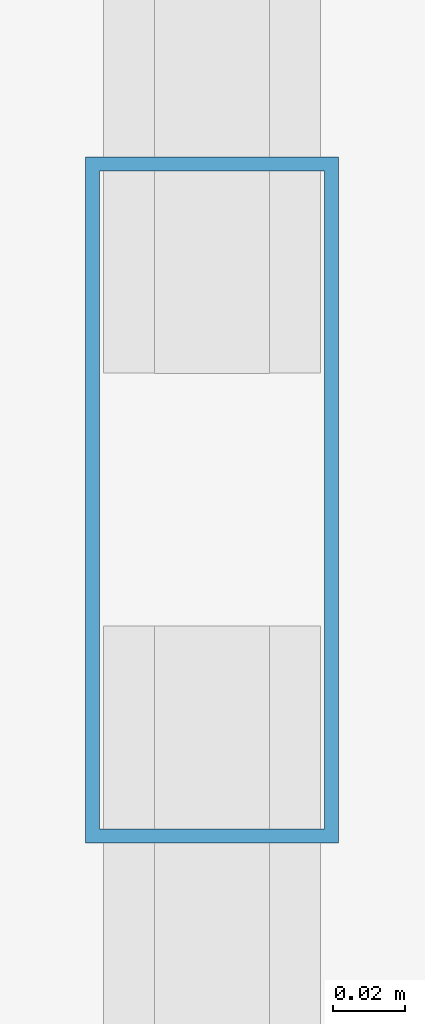
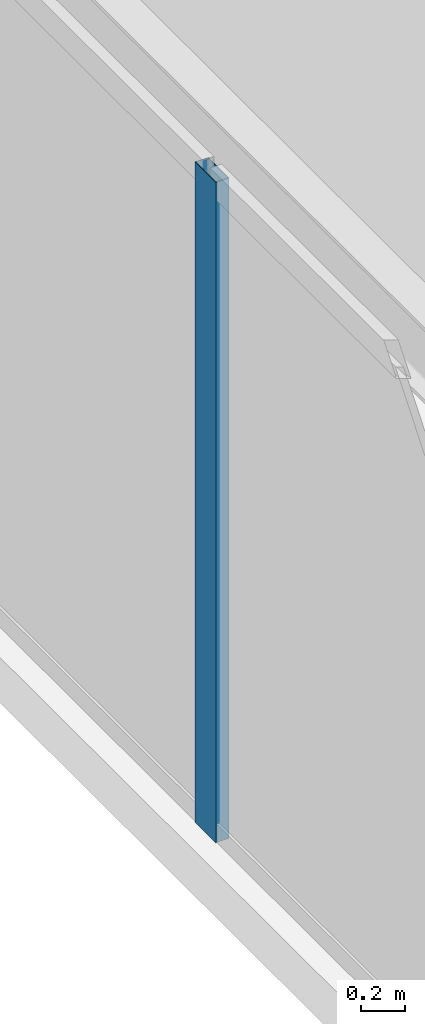
# One storey, part 10 of 31: 1 member, 1 element without a shape of its own.
"""IFC4 building model written with IfcOpenShell, lengths in metres."""

from ifc_helpers import new_model, si_unit, direction, frame, origin, origin_2d, place, context, subcontext, project, spatial, hollow_rectangle, extrude, source, transform, mapped, material, layer, layer_set, material_profile, profile_set, type_object, type_shapes, element, aggregate, save


model = new_model("IFC4")

# Units and contexts
model_context = context("Model", 3, precision=1e-05, world=origin(), true_north=direction((0.0, 1.0)))
body_context = subcontext(model_context, "Body", "Model", "MODEL_VIEW")
ifc_project = project(units=[si_unit("LENGTHUNIT", "METRE"), si_unit("AREAUNIT", "SQUARE_METRE"), si_unit("VOLUMEUNIT", "CUBIC_METRE"), si_unit("PLANEANGLEUNIT", "RADIAN"), si_unit("MASSUNIT", "GRAM", prefix="KILO")], contexts=[model_context])

# Site, building, storey
site_placement = place(None, origin())
site = spatial("IfcSite", under=ifc_project, at=site_placement, CompositionType="ELEMENT")
building_placement = place(site_placement, origin())
building = spatial("IfcBuilding", under=site, at=building_placement, Name="Varnel Quay Broadcast Tower", CompositionType="ELEMENT")
storey_placement = place(building_placement, frame((0.0, 0.0, 39.300048828125)))
storey = spatial("IfcBuildingStorey", under=building, at=storey_placement, Name="L08", CompositionType="ELEMENT", Elevation=39.300048828125)

# Curtain wall, member
ifc_material = material(Name="Anodised Bronze Aluminium 6063-T6", Category="aluminium")
ifc_layer = layer(ifc_material, 0.18994140625, Name="Anodised Bronze Aluminium 6063-T6")
ifc_layer_set = layer_set([ifc_layer], Name="Anodised Bronze Aluminium 6063-T6")
curtain_wall_type = type_object("IfcCurtainWallType", Name="CW_LowerTower", PredefinedType="NOTDEFINED", material=ifc_layer_set)
curtain_wall_placement = place(storey_placement, origin())
curtain_wall = element("IfcCurtainWall", 1, at=curtain_wall_placement, inside=storey, type_object=curtain_wall_type, Name="L08 West Unitised Curtain Wall", PredefinedType="NOTDEFINED")
ifc_material_profile = material_profile(ifc_material, hollow_rectangle(XDim=0.070068359375, YDim=0.18994140625, WallThickness=0.00390625, at=origin_2d()), Name="ALU70X190X4")
ifc_profile_set = profile_set([ifc_material_profile], Name="Anodised Bronze Aluminium 6063-T6")
member_type = type_object("IfcMemberType", Name="Mull_CWS-02", PredefinedType="MULLION", material=ifc_profile_set)
shared_shape = source(origin(), body_context, "Body", "SweptSolid", [
    extrude(hollow_rectangle(XDim=0.070068359375, YDim=0.18994140625, WallThickness=0.00390625, at=origin_2d()), origin(), (0.0, 0.0, 1.0), 3.64990234375),
])
type_shapes(member_type, [shared_shape])
member_placement = place(storey_placement, frame((2.14990234375, 30.39990234375, 0.0), z_axis=(0.0, 0.0, 1.0), x_axis=(-1.0, 0.0, 0.0)))
member = element("IfcMember", 2, at=member_placement, type_object=member_type, Name="CWS-02 mullion 3", PredefinedType="MULLION", context=body_context, shape_type="MappedRepresentation", body=[
    mapped(shared_shape, transform((0.0, 0.0, 0.0), x_axis=(1.0, 0.0, 0.0), y_axis=(0.0, 1.0, 0.0), z_axis=(0.0, 0.0, 1.0), scale=1.0)),
])
aggregate(curtain_wall, [member])

save(model, "model.ifc")
